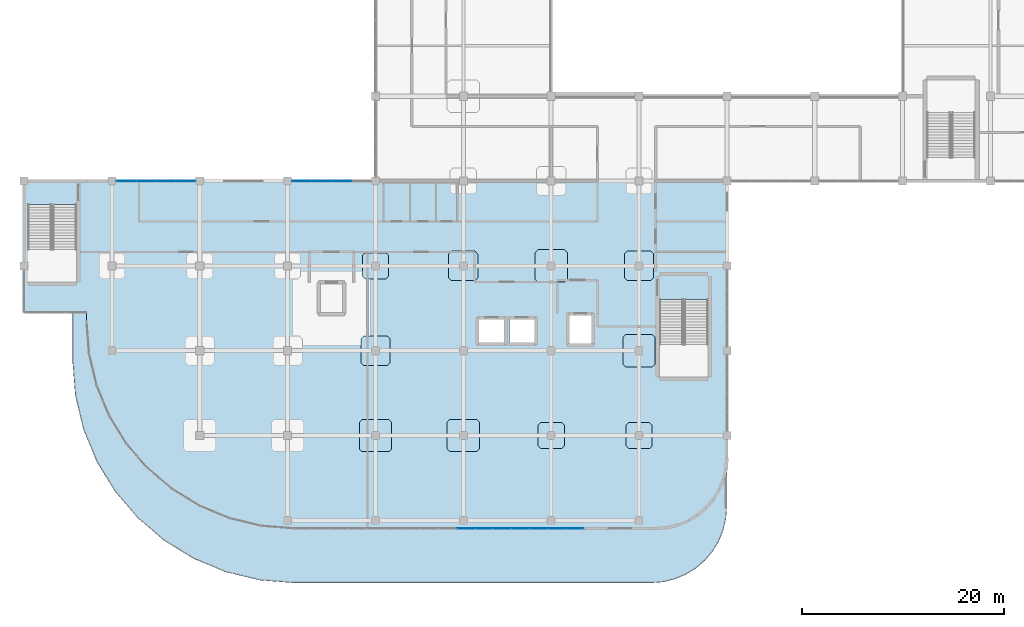
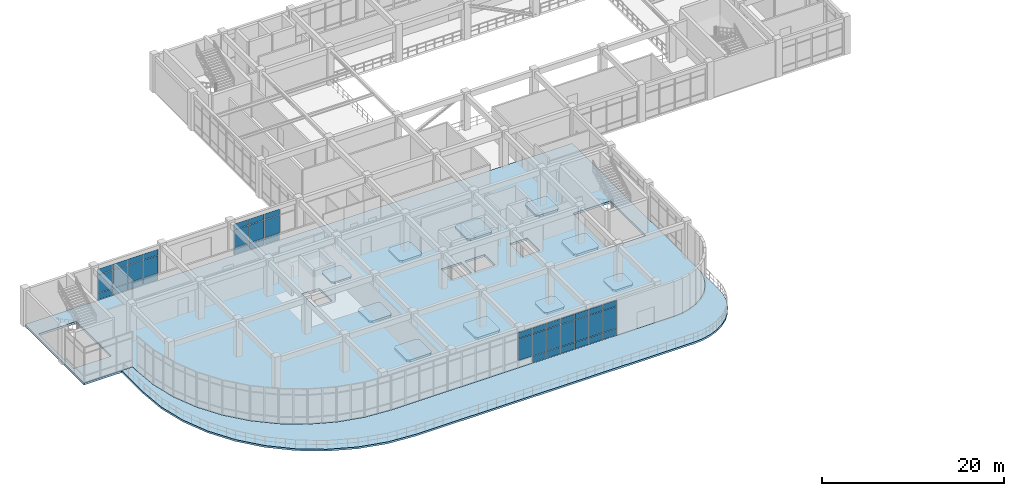
# One storey, part 69 of 96: 41 plates, 12 slabs, 4 elements without a shape of their own.
"""IFC4 building model written with IfcOpenShell, lengths in metres."""

from ifc_helpers import new_model, si_unit, derived_unit, direction, frame, origin, origin_2d, place, context, subcontext, project, spatial, polyline, rectangle, outline, extrude, material, layer, layer_set, type_object, element, aggregate, save


model = new_model("IFC4")

# Units and contexts
model_context = context("Model", 3, precision=1e-05, world=origin(), true_north=direction((0.0, 1.0)))
body_context = subcontext(model_context, "Body", "Model", "MODEL_VIEW")
ifc_project = project(units=[si_unit("LENGTHUNIT", "METRE"), si_unit("AREAUNIT", "SQUARE_METRE"), si_unit("VOLUMEUNIT", "CUBIC_METRE"), si_unit("PLANEANGLEUNIT", "RADIAN"), si_unit("MASSUNIT", "GRAM", prefix="KILO"), derived_unit("THERMALTRANSMITTANCEUNIT", [(si_unit("MASSUNIT", "GRAM", prefix="KILO"), 1), (si_unit("TIMEUNIT", "SECOND"), -3), (si_unit("THERMODYNAMICTEMPERATUREUNIT", "KELVIN"), -1)])], contexts=[model_context])

# Site, building, storey
site_placement = place(None, origin())
site = spatial("IfcSite", under=ifc_project, at=site_placement, CompositionType="ELEMENT")
building_placement = place(site_placement, origin())
building = spatial("IfcBuilding", under=site, at=building_placement, Name="Qinzheling Arcade Emporium", CompositionType="ELEMENT")
storey_placement = place(building_placement, frame((0.0, 0.0, 21.60009765625)))
storey = spatial("IfcBuildingStorey", under=building, at=storey_placement, Name="L05", CompositionType="ELEMENT", Elevation=21.60009765625)

# Slabs
ifc_material_1 = material(Name="Concrete C40", Category="concrete")
ifc_layer_1 = layer(ifc_material_1, 0.235107421875, Name="Concrete C40", Category="concrete")
ifc_layer_set_1 = layer_set([ifc_layer_1], Name="Concrete C40")
slab_type_1 = type_object("IfcSlabType", Name="Column Head Drop Panel 2600x2600x235 C40", PredefinedType="USERDEFINED", material=ifc_layer_set_1)
slab_1_placement = place(storey_placement, frame((0.0, 0.0, -0.51513671875)))
element("IfcSlab", 1, at=slab_1_placement, inside=storey, type_object=slab_type_1, Name="Column Drop Panel DP-L05-5-E", ObjectType="DROP_PANEL", PredefinedType="USERDEFINED", context=body_context, shape_type="SweptSolid", body=[
    extrude(outline(polyline([(33.780029296875, 32.300048828125), (35.820068359375, 32.300048828125), (36.10009765625, 32.580078125), (36.10009765625, 34.6201171875), (35.820068359375, 34.89990234375), (33.780029296875, 34.89990234375), (33.5, 34.6201171875), (33.5, 32.580078125), (33.780029296875, 32.300048828125)])), origin(), (0.0, 0.0, 1.0), 0.235107421875),
])
slab_2_placement = place(storey_placement, frame((0.0, 0.0, -0.51513671875)))
element("IfcSlab", 2, at=slab_2_placement, inside=storey, type_object=slab_type_1, Name="Column Drop Panel DP-L05-7-C", ObjectType="DROP_PANEL", PredefinedType="USERDEFINED", context=body_context, shape_type="SweptSolid", body=[
    extrude(outline(polyline([(51.179931640625, 15.5), (53.219970703125, 15.5), (53.5, 15.780029296875), (53.5, 17.820068359375), (53.219970703125, 18.10009765625), (51.179931640625, 18.10009765625), (50.89990234375, 17.820068359375), (50.89990234375, 15.780029296875), (51.179931640625, 15.5)])), origin(), (0.0, 0.0, 1.0), 0.235107421875),
])
slab_3_placement = place(storey_placement, frame((0.0, 0.0, -0.51513671875)))
element("IfcSlab", 3, at=slab_3_placement, inside=storey, type_object=slab_type_1, Name="Column Drop Panel DP-L05-8-C", ObjectType="DROP_PANEL", PredefinedType="USERDEFINED", context=body_context, shape_type="SweptSolid", body=[
    extrude(outline(polyline([(59.8798828125, 15.5), (61.919921875, 15.5), (62.199951171875, 15.780029296875), (62.199951171875, 17.820068359375), (61.919921875, 18.10009765625), (59.8798828125, 18.10009765625), (59.60009765625, 17.820068359375), (59.60009765625, 15.780029296875), (59.8798828125, 15.5)])), origin(), (0.0, 0.0, 1.0), 0.235107421875),
])
ifc_layer_2 = layer(ifc_material_1, 0.27001953125, Name="Concrete C40", Category="concrete")
ifc_layer_set_2 = layer_set([ifc_layer_2], Name="Concrete C40")
slab_type_2 = type_object("IfcSlabType", Name="Column Head Drop Panel 2900x2900x270 C40", PredefinedType="USERDEFINED", material=ifc_layer_set_2)
slab_4_placement = place(storey_placement, frame((0.0, 0.0, -0.550048828125)))
element("IfcSlab", 4, at=slab_4_placement, inside=storey, type_object=slab_type_2, Name="Column Drop Panel DP-L05-5-D", ObjectType="DROP_PANEL", PredefinedType="USERDEFINED", context=body_context, shape_type="SweptSolid", body=[
    extrude(outline(polyline([(33.6298828125, 23.75), (35.969970703125, 23.75), (36.25, 24.030029296875), (36.25, 26.3701171875), (35.969970703125, 26.64990234375), (33.6298828125, 26.64990234375), (33.35009765625, 26.3701171875), (33.35009765625, 24.030029296875), (33.6298828125, 23.75)])), origin(), (0.0, 0.0, 1.0), 0.27001953125),
])
slab_5_placement = place(storey_placement, frame((0.0, 0.0, -0.550048828125)))
element("IfcSlab", 5, at=slab_5_placement, inside=storey, type_object=slab_type_2, Name="Column Drop Panel DP-L05-6-E", ObjectType="DROP_PANEL", PredefinedType="USERDEFINED", context=body_context, shape_type="SweptSolid", body=[
    extrude(outline(polyline([(42.330078125, 32.14990234375), (44.669921875, 32.14990234375), (44.949951171875, 32.429931640625), (44.949951171875, 34.77001953125), (44.669921875, 35.050048828125), (42.330078125, 35.050048828125), (42.050048828125, 34.77001953125), (42.050048828125, 32.429931640625), (42.330078125, 32.14990234375)])), origin(), (0.0, 0.0, 1.0), 0.27001953125),
])
slab_6_placement = place(storey_placement, frame((0.0, 0.0, -0.550048828125)))
element("IfcSlab", 6, at=slab_6_placement, inside=storey, type_object=slab_type_2, Name="Column Drop Panel DP-L05-8-E", ObjectType="DROP_PANEL", PredefinedType="USERDEFINED", context=body_context, shape_type="SweptSolid", body=[
    extrude(outline(polyline([(59.72998046875, 32.14990234375), (62.070068359375, 32.14990234375), (62.35009765625, 32.429931640625), (62.35009765625, 34.77001953125), (62.070068359375, 35.050048828125), (59.72998046875, 35.050048828125), (59.449951171875, 34.77001953125), (59.449951171875, 32.429931640625), (59.72998046875, 32.14990234375)])), origin(), (0.0, 0.0, 1.0), 0.27001953125),
])
ifc_layer_3 = layer(ifc_material_1, 0.300048828125, Name="Concrete C40", Category="concrete")
ifc_layer_set_3 = layer_set([ifc_layer_3], Name="Concrete C40")
slab_type_3 = type_object("IfcSlabType", Name="Column Head Drop Panel 3200x3200x300 C40", PredefinedType="USERDEFINED", material=ifc_layer_set_3)
slab_7_placement = place(storey_placement, frame((0.0, 0.0, -0.580078125)))
element("IfcSlab", 7, at=slab_7_placement, inside=storey, type_object=slab_type_3, Name="Column Drop Panel DP-L05-5-C", ObjectType="DROP_PANEL", PredefinedType="USERDEFINED", context=body_context, shape_type="SweptSolid", body=[
    extrude(outline(polyline([(33.47998046875, 15.199951171875), (36.1201171875, 15.199951171875), (36.39990234375, 15.47998046875), (36.39990234375, 18.1201171875), (36.1201171875, 18.39990234375), (33.47998046875, 18.39990234375), (33.199951171875, 18.1201171875), (33.199951171875, 15.47998046875), (33.47998046875, 15.199951171875)])), origin(), (0.0, 0.0, 1.0), 0.300048828125),
])
slab_8_placement = place(storey_placement, frame((0.0, 0.0, -0.580078125)))
element("IfcSlab", 8, at=slab_8_placement, inside=storey, type_object=slab_type_3, Name="Column Drop Panel DP-L05-6-C", ObjectType="DROP_PANEL", PredefinedType="USERDEFINED", context=body_context, shape_type="SweptSolid", body=[
    extrude(outline(polyline([(42.179931640625, 15.199951171875), (44.820068359375, 15.199951171875), (45.10009765625, 15.47998046875), (45.10009765625, 18.1201171875), (44.820068359375, 18.39990234375), (42.179931640625, 18.39990234375), (41.89990234375, 18.1201171875), (41.89990234375, 15.47998046875), (42.179931640625, 15.199951171875)])), origin(), (0.0, 0.0, 1.0), 0.300048828125),
])
slab_9_placement = place(storey_placement, frame((0.0, 0.0, -0.580078125)))
element("IfcSlab", 9, at=slab_9_placement, inside=storey, type_object=slab_type_3, Name="Column Drop Panel DP-L05-7-E", ObjectType="DROP_PANEL", PredefinedType="USERDEFINED", context=body_context, shape_type="SweptSolid", body=[
    extrude(outline(polyline([(50.8798828125, 32.0), (53.52001953125, 32.0), (53.800048828125, 32.280029296875), (53.800048828125, 34.919921875), (53.52001953125, 35.199951171875), (50.8798828125, 35.199951171875), (50.60009765625, 34.919921875), (50.60009765625, 32.280029296875), (50.8798828125, 32.0)])), origin(), (0.0, 0.0, 1.0), 0.300048828125),
])
slab_10_placement = place(storey_placement, frame((0.0, 0.0, -0.580078125)))
element("IfcSlab", 10, at=slab_10_placement, inside=storey, type_object=slab_type_3, Name="Column Drop Panel DP-L05-8-D", ObjectType="DROP_PANEL", PredefinedType="USERDEFINED", context=body_context, shape_type="SweptSolid", body=[
    extrude(outline(polyline([(59.580078125, 23.60009765625), (62.219970703125, 23.60009765625), (62.5, 23.8798828125), (62.5, 26.52001953125), (62.219970703125, 26.800048828125), (59.580078125, 26.800048828125), (59.300048828125, 26.52001953125), (59.300048828125, 23.8798828125), (59.580078125, 23.60009765625)])), origin(), (0.0, 0.0, 1.0), 0.300048828125),
])

# Curtain wall, plates
ifc_material_2 = material(Name="Anodised aluminium and solar-control double glazing", Category="aluminium")
ifc_layer_4 = layer(ifc_material_2, 0.159912109375, Name="Anodised aluminium and solar-control double glazing", Category="aluminium")
ifc_layer_set_4 = layer_set([ifc_layer_4], Name="Anodised aluminium and solar-control double glazing")
curtain_wall_type_1 = type_object("IfcCurtainWallType", Name="Arcade Portal Glazed Curtain Wall", PredefinedType="NOTDEFINED", material=ifc_layer_set_4)
curtain_wall_1_placement = place(storey_placement, origin())
curtain_wall_1 = element("IfcCurtainWall", 11, at=curtain_wall_1_placement, inside=storey, type_object=curtain_wall_type_1, Name="Curtain Wall CW-L05-298", PredefinedType="NOTDEFINED")
ifc_material_3 = material(Name="Laminated solar-control double glazing", Category="glass")
ifc_layer_5 = layer(ifc_material_3, 0.0400390625, Name="Laminated solar-control double glazing", Category="glass")
ifc_layer_set_5 = layer_set([ifc_layer_5], Name="Laminated solar-control double glazing")
plate_type_1 = type_object("IfcPlateType", Name="Low-E Double Glazed Curtain Panel 40mm", PredefinedType="CURTAIN_PANEL", material=ifc_layer_set_5)
plate_1_placement = place(storey_placement, frame((54.506103515625, 7.60009765625, 0.06005859375), z_axis=(0.0, 0.0, 1.0), x_axis=(-1.0, 0.0, 0.0)))
plate_1 = element("IfcPlate", 12, at=plate_1_placement, type_object=plate_type_1, Name="CW05 panel 1.1", PredefinedType="CURTAIN_PANEL", context=body_context, shape_type="SweptSolid", body=[
    extrude(rectangle(XDim=1.7041015625, YDim=0.0400390625, at=origin_2d()), origin(), (0.0, 0.0, 1.0), 0.860107421875),
])
plate_2_placement = place(storey_placement, frame((54.506103515625, 7.60009765625, 0.97998046875), z_axis=(0.0, 0.0, 1.0), x_axis=(-1.0, 0.0, 0.0)))
plate_2 = element("IfcPlate", 13, at=plate_2_placement, type_object=plate_type_1, Name="CW05 panel 1.2", PredefinedType="CURTAIN_PANEL", context=body_context, shape_type="SweptSolid", body=[
    extrude(rectangle(XDim=1.7041015625, YDim=0.0400390625, at=origin_2d()), origin(), (0.0, 0.0, 1.0), 2.929931640625),
])
plate_3_placement = place(storey_placement, frame((54.506103515625, 7.60009765625, 3.9697265625), z_axis=(0.0, 0.0, 1.0), x_axis=(-1.0, 0.0, 0.0)))
plate_3 = element("IfcPlate", 14, at=plate_3_placement, type_object=plate_type_1, Name="CW05 panel 1.3", PredefinedType="CURTAIN_PANEL", context=body_context, shape_type="SweptSolid", body=[
    extrude(rectangle(XDim=1.7041015625, YDim=0.0400390625, at=origin_2d()), origin(), (0.0, 0.0, 1.0), 0.760009765625),
])
plate_4_placement = place(storey_placement, frame((52.72705078125, 7.60009765625, 0.06005859375), z_axis=(0.0, 0.0, 1.0), x_axis=(-1.0, 0.0, 0.0)))
plate_4 = element("IfcPlate", 15, at=plate_4_placement, type_object=plate_type_1, Name="CW05 panel 2.1", PredefinedType="CURTAIN_PANEL", context=body_context, shape_type="SweptSolid", body=[
    extrude(rectangle(XDim=1.73388671875, YDim=0.0400390625, at=origin_2d()), origin(), (0.0, 0.0, 1.0), 0.860107421875),
])
plate_5_placement = place(storey_placement, frame((52.72705078125, 7.60009765625, 0.97998046875), z_axis=(0.0, 0.0, 1.0), x_axis=(-1.0, 0.0, 0.0)))
plate_5 = element("IfcPlate", 16, at=plate_5_placement, type_object=plate_type_1, Name="CW05 panel 2.2", PredefinedType="CURTAIN_PANEL", context=body_context, shape_type="SweptSolid", body=[
    extrude(rectangle(XDim=1.73388671875, YDim=0.0400390625, at=origin_2d()), origin(), (0.0, 0.0, 1.0), 2.929931640625),
])
plate_6_placement = place(storey_placement, frame((52.72705078125, 7.60009765625, 3.9697265625), z_axis=(0.0, 0.0, 1.0), x_axis=(-1.0, 0.0, 0.0)))
plate_6 = element("IfcPlate", 17, at=plate_6_placement, type_object=plate_type_1, Name="CW05 panel 2.3", PredefinedType="CURTAIN_PANEL", context=body_context, shape_type="SweptSolid", body=[
    extrude(rectangle(XDim=1.73388671875, YDim=0.0400390625, at=origin_2d()), origin(), (0.0, 0.0, 1.0), 0.760009765625),
])
plate_7_placement = place(storey_placement, frame((50.93310546875, 7.60009765625, 0.06005859375), z_axis=(0.0, 0.0, 1.0), x_axis=(-1.0, 0.0, 0.0)))
plate_7 = element("IfcPlate", 18, at=plate_7_placement, type_object=plate_type_1, Name="CW05 panel 3.1", PredefinedType="CURTAIN_PANEL", context=body_context, shape_type="SweptSolid", body=[
    extrude(rectangle(XDim=1.73388671875, YDim=0.0400390625, at=origin_2d()), origin(), (0.0, 0.0, 1.0), 0.860107421875),
])
plate_8_placement = place(storey_placement, frame((50.93310546875, 7.60009765625, 0.97998046875), z_axis=(0.0, 0.0, 1.0), x_axis=(-1.0, 0.0, 0.0)))
plate_8 = element("IfcPlate", 19, at=plate_8_placement, type_object=plate_type_1, Name="CW05 panel 3.2", PredefinedType="CURTAIN_PANEL", context=body_context, shape_type="SweptSolid", body=[
    extrude(rectangle(XDim=1.73388671875, YDim=0.0400390625, at=origin_2d()), origin(), (0.0, 0.0, 1.0), 2.929931640625),
])
plate_9_placement = place(storey_placement, frame((50.93310546875, 7.60009765625, 3.9697265625), z_axis=(0.0, 0.0, 1.0), x_axis=(-1.0, 0.0, 0.0)))
plate_9 = element("IfcPlate", 20, at=plate_9_placement, type_object=plate_type_1, Name="CW05 panel 3.3", PredefinedType="CURTAIN_PANEL", context=body_context, shape_type="SweptSolid", body=[
    extrude(rectangle(XDim=1.73388671875, YDim=0.0400390625, at=origin_2d()), origin(), (0.0, 0.0, 1.0), 0.760009765625),
])
plate_10_placement = place(storey_placement, frame((49.154052734375, 7.60009765625, 0.06005859375), z_axis=(0.0, 0.0, 1.0), x_axis=(-1.0, 0.0, 0.0)))
plate_10 = element("IfcPlate", 21, at=plate_10_placement, type_object=plate_type_1, Name="CW05 panel 4.1", PredefinedType="CURTAIN_PANEL", context=body_context, shape_type="SweptSolid", body=[
    extrude(rectangle(XDim=1.7041015625, YDim=0.0400390625, at=origin_2d()), origin(), (0.0, 0.0, 1.0), 0.860107421875),
])
plate_11_placement = place(storey_placement, frame((49.154052734375, 7.60009765625, 0.97998046875), z_axis=(0.0, 0.0, 1.0), x_axis=(-1.0, 0.0, 0.0)))
plate_11 = element("IfcPlate", 22, at=plate_11_placement, type_object=plate_type_1, Name="CW05 panel 4.2", PredefinedType="CURTAIN_PANEL", context=body_context, shape_type="SweptSolid", body=[
    extrude(rectangle(XDim=1.7041015625, YDim=0.0400390625, at=origin_2d()), origin(), (0.0, 0.0, 1.0), 2.929931640625),
])
plate_12_placement = place(storey_placement, frame((49.154052734375, 7.60009765625, 3.9697265625), z_axis=(0.0, 0.0, 1.0), x_axis=(-1.0, 0.0, 0.0)))
plate_12 = element("IfcPlate", 23, at=plate_12_placement, type_object=plate_type_1, Name="CW05 panel 4.3", PredefinedType="CURTAIN_PANEL", context=body_context, shape_type="SweptSolid", body=[
    extrude(rectangle(XDim=1.7041015625, YDim=0.0400390625, at=origin_2d()), origin(), (0.0, 0.0, 1.0), 0.760009765625),
])
aggregate(curtain_wall_1, [plate_1, plate_2, plate_3, plate_4, plate_5, plate_6, plate_7, plate_8, plate_9, plate_10, plate_11, plate_12])

ifc_layer_6 = layer(ifc_material_2, 0.159912109375, Name="Anodised aluminium and solar-control double glazing", Category="aluminium")
ifc_layer_set_6 = layer_set([ifc_layer_6], Name="Anodised aluminium and solar-control double glazing")
curtain_wall_type_2 = type_object("IfcCurtainWallType", Name="Atrium Clerestory Curtain Wall", PredefinedType="NOTDEFINED", material=ifc_layer_set_6)
curtain_wall_2_placement = place(storey_placement, origin())
curtain_wall_2 = element("IfcCurtainWall", 24, at=curtain_wall_2_placement, inside=storey, type_object=curtain_wall_type_2, Name="Curtain Wall CW-L05-314", PredefinedType="NOTDEFINED")
plate_13_placement = place(storey_placement, frame((10.10400390625, 42.0, 0.06005859375), z_axis=(0.0, 0.0, 1.0), x_axis=(1.0, 0.0, 0.0)))
plate_13 = element("IfcPlate", 25, at=plate_13_placement, type_object=plate_type_1, Name="CW03 panel 1.1", PredefinedType="CURTAIN_PANEL", context=body_context, shape_type="SweptSolid", body=[
    extrude(rectangle(XDim=1.884033203125, YDim=0.0400390625, at=origin_2d()), origin(), (0.0, 0.0, 1.0), 0.860107421875),
])
plate_14_placement = place(storey_placement, frame((10.10400390625, 42.0, 0.97998046875), z_axis=(0.0, 0.0, 1.0), x_axis=(1.0, 0.0, 0.0)))
plate_14 = element("IfcPlate", 26, at=plate_14_placement, type_object=plate_type_1, Name="CW03 panel 1.2", PredefinedType="CURTAIN_PANEL", context=body_context, shape_type="SweptSolid", body=[
    extrude(rectangle(XDim=1.884033203125, YDim=0.0400390625, at=origin_2d()), origin(), (0.0, 0.0, 1.0), 2.39501953125),
])
plate_15_placement = place(storey_placement, frame((10.10400390625, 42.0, 3.43505859375), z_axis=(0.0, 0.0, 1.0), x_axis=(1.0, 0.0, 0.0)))
plate_15 = element("IfcPlate", 27, at=plate_15_placement, type_object=plate_type_1, Name="CW03 panel 1.3", PredefinedType="CURTAIN_PANEL", context=body_context, shape_type="SweptSolid", body=[
    extrude(rectangle(XDim=1.884033203125, YDim=0.0400390625, at=origin_2d()), origin(), (0.0, 0.0, 1.0), 0.760009765625),
])
plate_16_placement = place(storey_placement, frame((12.06298828125, 42.0, 0.06005859375), z_axis=(0.0, 0.0, 1.0), x_axis=(1.0, 0.0, 0.0)))
plate_16 = element("IfcPlate", 28, at=plate_16_placement, type_object=plate_type_1, Name="CW03 panel 2.1", PredefinedType="CURTAIN_PANEL", context=body_context, shape_type="SweptSolid", body=[
    extrude(rectangle(XDim=1.9140625, YDim=0.0400390625, at=origin_2d()), origin(), (0.0, 0.0, 1.0), 0.860107421875),
])
plate_17_placement = place(storey_placement, frame((12.06298828125, 42.0, 0.97998046875), z_axis=(0.0, 0.0, 1.0), x_axis=(1.0, 0.0, 0.0)))
plate_17 = element("IfcPlate", 29, at=plate_17_placement, type_object=plate_type_1, Name="CW03 panel 2.2", PredefinedType="CURTAIN_PANEL", context=body_context, shape_type="SweptSolid", body=[
    extrude(rectangle(XDim=1.9140625, YDim=0.0400390625, at=origin_2d()), origin(), (0.0, 0.0, 1.0), 2.39501953125),
])
plate_18_placement = place(storey_placement, frame((12.06298828125, 42.0, 3.43505859375), z_axis=(0.0, 0.0, 1.0), x_axis=(1.0, 0.0, 0.0)))
plate_18 = element("IfcPlate", 30, at=plate_18_placement, type_object=plate_type_1, Name="CW03 panel 2.3", PredefinedType="CURTAIN_PANEL", context=body_context, shape_type="SweptSolid", body=[
    extrude(rectangle(XDim=1.9140625, YDim=0.0400390625, at=origin_2d()), origin(), (0.0, 0.0, 1.0), 0.760009765625),
])
plate_19_placement = place(storey_placement, frame((14.037109375, 42.0, 0.06005859375), z_axis=(0.0, 0.0, 1.0), x_axis=(1.0, 0.0, 0.0)))
plate_19 = element("IfcPlate", 31, at=plate_19_placement, type_object=plate_type_1, Name="CW03 panel 3.1", PredefinedType="CURTAIN_PANEL", context=body_context, shape_type="SweptSolid", body=[
    extrude(rectangle(XDim=1.9140625, YDim=0.0400390625, at=origin_2d()), origin(), (0.0, 0.0, 1.0), 0.860107421875),
])
plate_20_placement = place(storey_placement, frame((14.037109375, 42.0, 0.97998046875), z_axis=(0.0, 0.0, 1.0), x_axis=(1.0, 0.0, 0.0)))
plate_20 = element("IfcPlate", 32, at=plate_20_placement, type_object=plate_type_1, Name="CW03 panel 3.2", PredefinedType="CURTAIN_PANEL", context=body_context, shape_type="SweptSolid", body=[
    extrude(rectangle(XDim=1.9140625, YDim=0.0400390625, at=origin_2d()), origin(), (0.0, 0.0, 1.0), 2.39501953125),
])
plate_21_placement = place(storey_placement, frame((14.037109375, 42.0, 3.43505859375), z_axis=(0.0, 0.0, 1.0), x_axis=(1.0, 0.0, 0.0)))
plate_21 = element("IfcPlate", 33, at=plate_21_placement, type_object=plate_type_1, Name="CW03 panel 3.3", PredefinedType="CURTAIN_PANEL", context=body_context, shape_type="SweptSolid", body=[
    extrude(rectangle(XDim=1.9140625, YDim=0.0400390625, at=origin_2d()), origin(), (0.0, 0.0, 1.0), 0.760009765625),
])
plate_22_placement = place(storey_placement, frame((15.99609375, 42.0, 0.06005859375), z_axis=(0.0, 0.0, 1.0), x_axis=(1.0, 0.0, 0.0)))
plate_22 = element("IfcPlate", 34, at=plate_22_placement, type_object=plate_type_1, Name="CW03 panel 4.1", PredefinedType="CURTAIN_PANEL", context=body_context, shape_type="SweptSolid", body=[
    extrude(rectangle(XDim=1.884033203125, YDim=0.0400390625, at=origin_2d()), origin(), (0.0, 0.0, 1.0), 0.860107421875),
])
plate_23_placement = place(storey_placement, frame((15.99609375, 42.0, 0.97998046875), z_axis=(0.0, 0.0, 1.0), x_axis=(1.0, 0.0, 0.0)))
plate_23 = element("IfcPlate", 35, at=plate_23_placement, type_object=plate_type_1, Name="CW03 panel 4.2", PredefinedType="CURTAIN_PANEL", context=body_context, shape_type="SweptSolid", body=[
    extrude(rectangle(XDim=1.884033203125, YDim=0.0400390625, at=origin_2d()), origin(), (0.0, 0.0, 1.0), 2.39501953125),
])
plate_24_placement = place(storey_placement, frame((15.99609375, 42.0, 3.43505859375), z_axis=(0.0, 0.0, 1.0), x_axis=(1.0, 0.0, 0.0)))
plate_24 = element("IfcPlate", 36, at=plate_24_placement, type_object=plate_type_1, Name="CW03 panel 4.3", PredefinedType="CURTAIN_PANEL", context=body_context, shape_type="SweptSolid", body=[
    extrude(rectangle(XDim=1.884033203125, YDim=0.0400390625, at=origin_2d()), origin(), (0.0, 0.0, 1.0), 0.760009765625),
])
aggregate(curtain_wall_2, [plate_13, plate_14, plate_15, plate_16, plate_17, plate_18, plate_19, plate_20, plate_21, plate_22, plate_23, plate_24])

curtain_wall_3_placement = place(storey_placement, origin())
curtain_wall_3 = element("IfcCurtainWall", 37, at=curtain_wall_3_placement, inside=storey, type_object=curtain_wall_type_1, Name="Curtain Wall CW-L05-299", PredefinedType="NOTDEFINED")
ifc_layer_7 = layer(ifc_material_3, 0.0419921875, Name="Laminated solar-control double glazing", Category="glass")
ifc_layer_set_7 = layer_set([ifc_layer_7], Name="Laminated solar-control double glazing")
plate_type_2 = type_object("IfcPlateType", Name="Low-E Double Glazed Curtain Panel 42mm", PredefinedType="CURTAIN_PANEL", material=ifc_layer_set_7)
plate_25_placement = place(storey_placement, frame((47.325927734375, 7.60009765625, 0.06005859375), z_axis=(0.0, 0.0, 1.0), x_axis=(-1.0, 0.0, 0.0)))
plate_25 = element("IfcPlate", 38, at=plate_25_placement, type_object=plate_type_2, Name="CW05 panel 1.1", PredefinedType="CURTAIN_PANEL", context=body_context, shape_type="SweptSolid", body=[
    extrude(rectangle(XDim=1.7041015625, YDim=0.0419921875, at=origin_2d()), origin(), (0.0, 0.0, 1.0), 0.860107421875),
])
plate_26_placement = place(storey_placement, frame((47.325927734375, 7.60009765625, 0.97998046875), z_axis=(0.0, 0.0, 1.0), x_axis=(-1.0, 0.0, 0.0)))
plate_26 = element("IfcPlate", 39, at=plate_26_placement, type_object=plate_type_2, Name="CW05 panel 1.2", PredefinedType="CURTAIN_PANEL", context=body_context, shape_type="SweptSolid", body=[
    extrude(rectangle(XDim=1.7041015625, YDim=0.0419921875, at=origin_2d()), origin(), (0.0, 0.0, 1.0), 2.929931640625),
])
plate_27_placement = place(storey_placement, frame((47.325927734375, 7.60009765625, 3.9697265625), z_axis=(0.0, 0.0, 1.0), x_axis=(-1.0, 0.0, 0.0)))
plate_27 = element("IfcPlate", 40, at=plate_27_placement, type_object=plate_type_2, Name="CW05 panel 1.3", PredefinedType="CURTAIN_PANEL", context=body_context, shape_type="SweptSolid", body=[
    extrude(rectangle(XDim=1.7041015625, YDim=0.0419921875, at=origin_2d()), origin(), (0.0, 0.0, 1.0), 0.760009765625),
])
plate_28_placement = place(storey_placement, frame((45.547119140625, 7.60009765625, 0.06005859375), z_axis=(0.0, 0.0, 1.0), x_axis=(-1.0, 0.0, 0.0)))
plate_28 = element("IfcPlate", 41, at=plate_28_placement, type_object=plate_type_2, Name="CW05 panel 2.1", PredefinedType="CURTAIN_PANEL", context=body_context, shape_type="SweptSolid", body=[
    extrude(rectangle(XDim=1.73388671875, YDim=0.0419921875, at=origin_2d()), origin(), (0.0, 0.0, 1.0), 0.860107421875),
])
plate_29_placement = place(storey_placement, frame((45.547119140625, 7.60009765625, 0.97998046875), z_axis=(0.0, 0.0, 1.0), x_axis=(-1.0, 0.0, 0.0)))
plate_29 = element("IfcPlate", 42, at=plate_29_placement, type_object=plate_type_2, Name="CW05 panel 2.2", PredefinedType="CURTAIN_PANEL", context=body_context, shape_type="SweptSolid", body=[
    extrude(rectangle(XDim=1.73388671875, YDim=0.0419921875, at=origin_2d()), origin(), (0.0, 0.0, 1.0), 2.929931640625),
])
plate_30_placement = place(storey_placement, frame((45.547119140625, 7.60009765625, 3.9697265625), z_axis=(0.0, 0.0, 1.0), x_axis=(-1.0, 0.0, 0.0)))
plate_30 = element("IfcPlate", 43, at=plate_30_placement, type_object=plate_type_2, Name="CW05 panel 2.3", PredefinedType="CURTAIN_PANEL", context=body_context, shape_type="SweptSolid", body=[
    extrude(rectangle(XDim=1.73388671875, YDim=0.0419921875, at=origin_2d()), origin(), (0.0, 0.0, 1.0), 0.760009765625),
])
plate_31_placement = place(storey_placement, frame((43.7529296875, 7.60009765625, 0.97998046875), z_axis=(0.0, 0.0, 1.0), x_axis=(-1.0, 0.0, 0.0)))
plate_31 = element("IfcPlate", 44, at=plate_31_placement, type_object=plate_type_2, Name="CW05 panel 3.2", PredefinedType="CURTAIN_PANEL", context=body_context, shape_type="SweptSolid", body=[
    extrude(rectangle(XDim=1.73388671875, YDim=0.0419921875, at=origin_2d()), origin(), (0.0, 0.0, 1.0), 2.929931640625),
])
plate_32_placement = place(storey_placement, frame((43.7529296875, 7.60009765625, 3.9697265625), z_axis=(0.0, 0.0, 1.0), x_axis=(-1.0, 0.0, 0.0)))
plate_32 = element("IfcPlate", 45, at=plate_32_placement, type_object=plate_type_2, Name="CW05 panel 3.3", PredefinedType="CURTAIN_PANEL", context=body_context, shape_type="SweptSolid", body=[
    extrude(rectangle(XDim=1.73388671875, YDim=0.0419921875, at=origin_2d()), origin(), (0.0, 0.0, 1.0), 0.760009765625),
])
aggregate(curtain_wall_3, [plate_25, plate_26, plate_27, plate_28, plate_29, plate_30, plate_31, plate_32])

curtain_wall_4_placement = place(storey_placement, origin())
curtain_wall_4 = element("IfcCurtainWall", 46, at=curtain_wall_4_placement, inside=storey, type_object=curtain_wall_type_2, Name="Curtain Wall CW-L05-315", PredefinedType="NOTDEFINED")
plate_33_placement = place(storey_placement, frame((27.50390625, 42.0, 0.06005859375), z_axis=(0.0, 0.0, 1.0), x_axis=(1.0, 0.0, 0.0)))
plate_33 = element("IfcPlate", 47, at=plate_33_placement, type_object=plate_type_2, Name="CW03 panel 1.1", PredefinedType="CURTAIN_PANEL", context=body_context, shape_type="SweptSolid", body=[
    extrude(rectangle(XDim=1.884033203125, YDim=0.0419921875, at=origin_2d()), origin(), (0.0, 0.0, 1.0), 0.860107421875),
])
plate_34_placement = place(storey_placement, frame((27.50390625, 42.0, 0.97998046875), z_axis=(0.0, 0.0, 1.0), x_axis=(1.0, 0.0, 0.0)))
plate_34 = element("IfcPlate", 48, at=plate_34_placement, type_object=plate_type_2, Name="CW03 panel 1.2", PredefinedType="CURTAIN_PANEL", context=body_context, shape_type="SweptSolid", body=[
    extrude(rectangle(XDim=1.884033203125, YDim=0.0419921875, at=origin_2d()), origin(), (0.0, 0.0, 1.0), 2.39501953125),
])
plate_35_placement = place(storey_placement, frame((27.50390625, 42.0, 3.43505859375), z_axis=(0.0, 0.0, 1.0), x_axis=(1.0, 0.0, 0.0)))
plate_35 = element("IfcPlate", 49, at=plate_35_placement, type_object=plate_type_2, Name="CW03 panel 1.3", PredefinedType="CURTAIN_PANEL", context=body_context, shape_type="SweptSolid", body=[
    extrude(rectangle(XDim=1.884033203125, YDim=0.0419921875, at=origin_2d()), origin(), (0.0, 0.0, 1.0), 0.760009765625),
])
plate_36_placement = place(storey_placement, frame((29.462890625, 42.0, 0.06005859375), z_axis=(0.0, 0.0, 1.0), x_axis=(1.0, 0.0, 0.0)))
plate_36 = element("IfcPlate", 50, at=plate_36_placement, type_object=plate_type_2, Name="CW03 panel 2.1", PredefinedType="CURTAIN_PANEL", context=body_context, shape_type="SweptSolid", body=[
    extrude(rectangle(XDim=1.9140625, YDim=0.0419921875, at=origin_2d()), origin(), (0.0, 0.0, 1.0), 0.860107421875),
])
plate_37_placement = place(storey_placement, frame((29.462890625, 42.0, 0.97998046875), z_axis=(0.0, 0.0, 1.0), x_axis=(1.0, 0.0, 0.0)))
plate_37 = element("IfcPlate", 51, at=plate_37_placement, type_object=plate_type_2, Name="CW03 panel 2.2", PredefinedType="CURTAIN_PANEL", context=body_context, shape_type="SweptSolid", body=[
    extrude(rectangle(XDim=1.9140625, YDim=0.0419921875, at=origin_2d()), origin(), (0.0, 0.0, 1.0), 2.39501953125),
])
plate_38_placement = place(storey_placement, frame((29.462890625, 42.0, 3.43505859375), z_axis=(0.0, 0.0, 1.0), x_axis=(1.0, 0.0, 0.0)))
plate_38 = element("IfcPlate", 52, at=plate_38_placement, type_object=plate_type_2, Name="CW03 panel 2.3", PredefinedType="CURTAIN_PANEL", context=body_context, shape_type="SweptSolid", body=[
    extrude(rectangle(XDim=1.9140625, YDim=0.0419921875, at=origin_2d()), origin(), (0.0, 0.0, 1.0), 0.760009765625),
])
plate_39_placement = place(storey_placement, frame((31.43701171875, 42.0, 0.06005859375), z_axis=(0.0, 0.0, 1.0), x_axis=(1.0, 0.0, 0.0)))
plate_39 = element("IfcPlate", 53, at=plate_39_placement, type_object=plate_type_2, Name="CW03 panel 3.1", PredefinedType="CURTAIN_PANEL", context=body_context, shape_type="SweptSolid", body=[
    extrude(rectangle(XDim=1.9140625, YDim=0.0419921875, at=origin_2d()), origin(), (0.0, 0.0, 1.0), 0.860107421875),
])
plate_40_placement = place(storey_placement, frame((31.43701171875, 42.0, 0.97998046875), z_axis=(0.0, 0.0, 1.0), x_axis=(1.0, 0.0, 0.0)))
plate_40 = element("IfcPlate", 54, at=plate_40_placement, type_object=plate_type_2, Name="CW03 panel 3.2", PredefinedType="CURTAIN_PANEL", context=body_context, shape_type="SweptSolid", body=[
    extrude(rectangle(XDim=1.9140625, YDim=0.0419921875, at=origin_2d()), origin(), (0.0, 0.0, 1.0), 2.39501953125),
])
plate_41_placement = place(storey_placement, frame((31.43701171875, 42.0, 3.43505859375), z_axis=(0.0, 0.0, 1.0), x_axis=(1.0, 0.0, 0.0)))
plate_41 = element("IfcPlate", 55, at=plate_41_placement, type_object=plate_type_2, Name="CW03 panel 3.3", PredefinedType="CURTAIN_PANEL", context=body_context, shape_type="SweptSolid", body=[
    extrude(rectangle(XDim=1.9140625, YDim=0.0419921875, at=origin_2d()), origin(), (0.0, 0.0, 1.0), 0.760009765625),
])
aggregate(curtain_wall_4, [plate_33, plate_34, plate_35, plate_36, plate_37, plate_38, plate_39, plate_40, plate_41])

# Slabs
ifc_layer_8 = layer(ifc_material_1, 0.25, Name="Concrete C40", Category="concrete")
ifc_layer_set_8 = layer_set([ifc_layer_8], Name="Concrete C40")
slab_type_4 = type_object("IfcSlabType", Name="Outdoor Dining Terrace Slab 250 C40", PredefinedType="FLOOR", material=ifc_layer_set_8)
slab_11_placement = place(storey_placement, frame((0.0, 0.0, -0.25)))
element("IfcSlab", 56, at=slab_11_placement, inside=storey, type_object=slab_type_4, Name="Outdoor Terrace SLB-TR-V1-L05", PredefinedType="FLOOR", context=body_context, shape_type="SweptSolid", body=[
    extrude(outline(polyline([(69.60009765625, 9.699951171875), (69.60009765625, 14.60009765625), (69.513916015625, 13.5048828125), (69.257080078125, 12.43701171875), (68.8369140625, 11.422119140625), (68.262939453125, 10.486083984375), (67.550048828125, 9.64990234375), (66.714111328125, 8.93701171875), (65.778076171875, 8.363037109375), (64.762939453125, 7.943115234375), (63.695068359375, 7.68603515625), (62.60009765625, 7.60009765625), (26.699951171875, 7.60009765625), (23.492919921875, 7.85205078125), (20.364990234375, 8.60302734375), (17.39306640625, 9.833984375), (14.64990234375, 11.514892578125), (12.2041015625, 13.60400390625), (10.114990234375, 16.050048828125), (8.43408203125, 18.79296875), (7.202880859375, 21.764892578125), (6.451904296875, 24.89306640625), (6.199951171875, 28.10009765625), (6.199951171875, 29.0), (4.800048828125, 29.0), (4.800048828125, 24.199951171875), (5.071044921875, 20.758056640625), (5.876953125, 17.402099609375), (7.197998046875, 14.2119140625), (9.001953125, 11.26904296875), (11.243896484375, 8.64404296875), (13.868896484375, 6.402099609375), (16.81201171875, 4.597900390625), (20.001953125, 3.277099609375), (23.35791015625, 2.470947265625), (26.800048828125, 2.199951171875), (62.10009765625, 2.199951171875), (63.27294921875, 2.2919921875), (64.41796875, 2.56689453125), (65.5048828125, 3.01708984375), (66.508056640625, 3.632080078125), (67.403076171875, 4.39697265625), (68.16796875, 5.2919921875), (68.782958984375, 6.294921875), (69.23291015625, 7.382080078125), (69.508056640625, 8.527099609375), (69.60009765625, 9.699951171875)])), origin(), (0.0, 0.0, 1.0), 0.25),
])
ifc_layer_9 = layer(ifc_material_1, 0.280029296875, Name="Concrete C40", Category="concrete")
ifc_layer_set_9 = layer_set([ifc_layer_9], Name="Concrete C40")
slab_type_5 = type_object("IfcSlabType", Name="Retail Two-Way Flat Slab 280 C40", PredefinedType="FLOOR", material=ifc_layer_set_9)
slab_12_placement = place(storey_placement, frame((0.0, 0.0, -0.280029296875)))
element("IfcSlab", 57, at=slab_12_placement, inside=storey, type_object=slab_type_5, Name="Floor Slab SLB-L05-V1", PredefinedType="FLOOR", context=body_context, shape_type="SweptSolid", body=[
    extrude(outline(polyline([(26.10009765625, 42.0), (6.199951171875, 42.0), (0.0, 42.0), (0.0, 29.0), (6.199951171875, 29.0), (6.199951171875, 28.10009765625), (6.451904296875, 24.89306640625), (7.202880859375, 21.764892578125), (8.43408203125, 18.79296875), (10.114990234375, 16.050048828125), (12.2041015625, 13.60400390625), (14.64990234375, 11.514892578125), (17.39306640625, 9.833984375), (20.364990234375, 8.60302734375), (23.492919921875, 7.85205078125), (26.699951171875, 7.60009765625), (62.60009765625, 7.60009765625), (63.695068359375, 7.68603515625), (64.762939453125, 7.943115234375), (65.778076171875, 8.363037109375), (66.714111328125, 8.93701171875), (67.550048828125, 9.64990234375), (68.262939453125, 10.486083984375), (68.8369140625, 11.422119140625), (69.257080078125, 12.43701171875), (69.513916015625, 13.5048828125), (69.60009765625, 14.60009765625), (69.60009765625, 42.0), (26.10009765625, 42.0)]), holes=[polyline([(67.739990234375, 22.60009765625), (62.949951171875, 22.60009765625), (62.949951171875, 30.27490234375), (67.739990234375, 30.27490234375), (67.739990234375, 22.60009765625)]), polyline([(56.199951171875, 25.89990234375), (54.0, 25.89990234375), (54.0, 28.699951171875), (56.199951171875, 28.699951171875), (56.199951171875, 25.89990234375)]), polyline([(50.550048828125, 26.0), (48.050048828125, 26.0), (48.050048828125, 28.300048828125), (50.550048828125, 28.300048828125), (50.550048828125, 26.0)]), polyline([(47.550048828125, 26.0), (45.050048828125, 26.0), (45.050048828125, 28.300048828125), (47.550048828125, 28.300048828125), (47.550048828125, 26.0)]), polyline([(31.550048828125, 29.0), (29.35009765625, 29.0), (29.35009765625, 31.800048828125), (31.550048828125, 31.800048828125), (31.550048828125, 29.0)]), polyline([(5.18994140625, 32.0), (0.39990234375, 32.0), (0.39990234375, 39.675048828125), (5.18994140625, 39.675048828125), (5.18994140625, 32.0)])]), origin(), (0.0, 0.0, 1.0), 0.280029296875),
])

save(model, "model.ifc")
